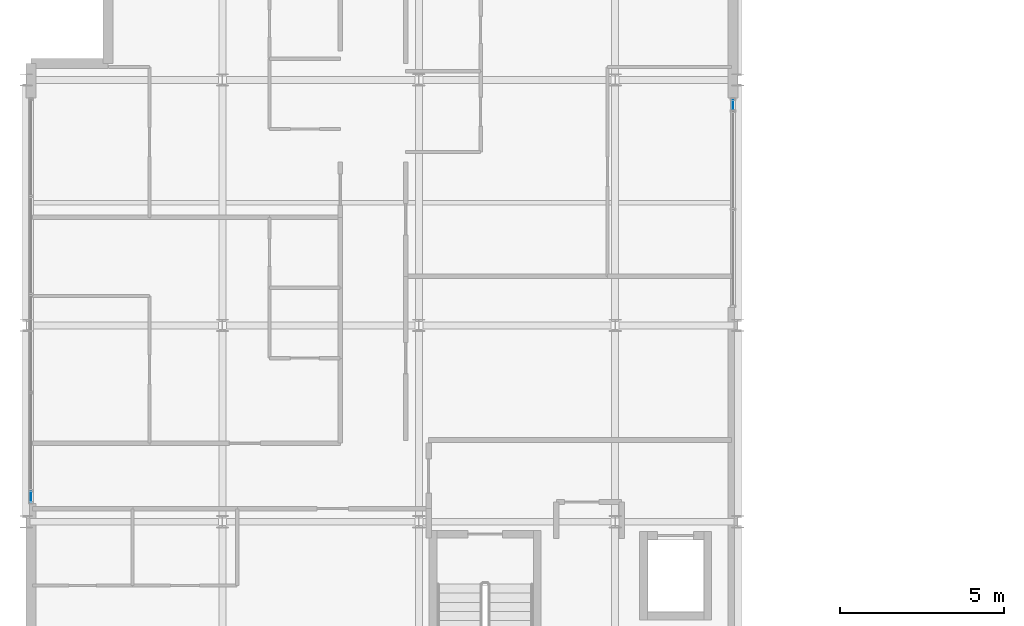
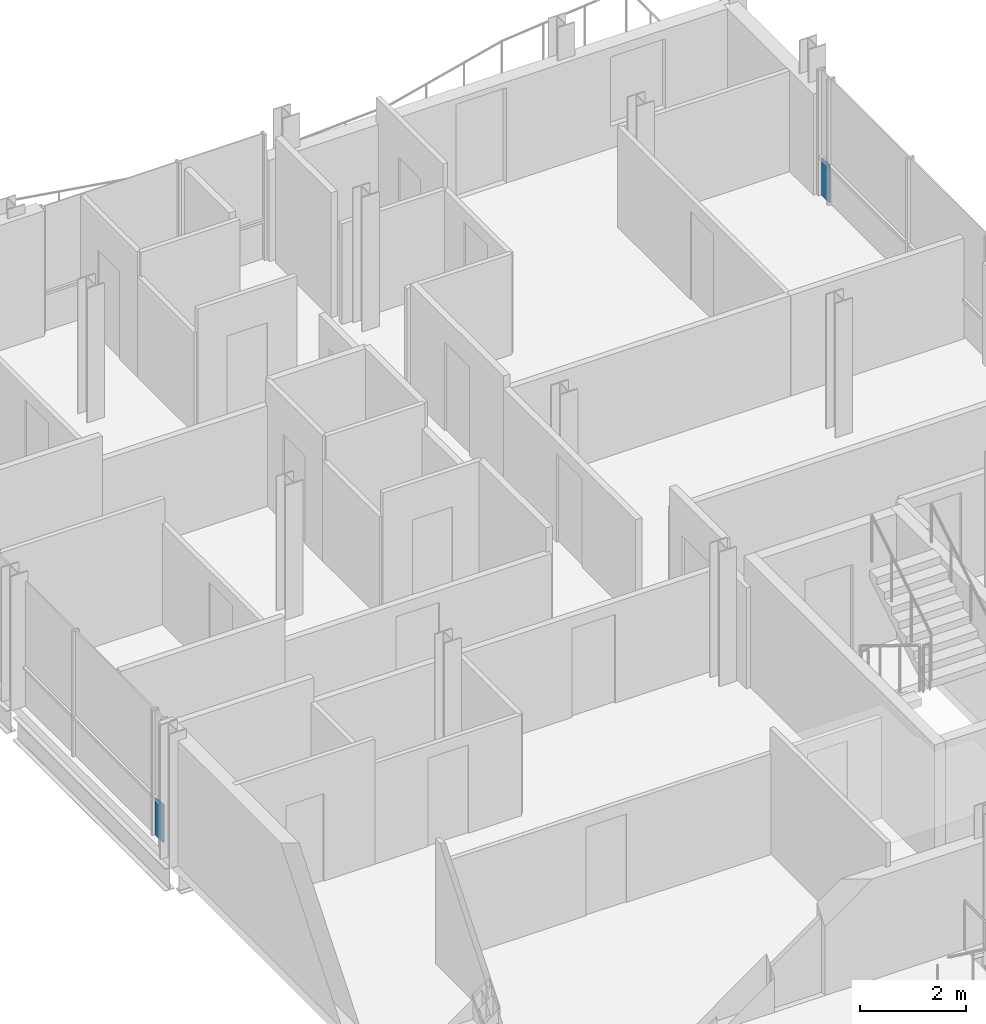
# One storey, part 21 of 29: 2 plates, 2 elements without a shape of their own.
"""IFC4 building model written with IfcOpenShell, lengths in metres."""

from ifc_helpers import new_model, si_unit, direction, frame, origin, origin_2d, place, context, subcontext, project, spatial, rectangle, extrude, material, layer, layer_set, type_object, element, aggregate, save


model = new_model("IFC4")

# Units and contexts
model_context = context("Model", 3, precision=1e-05, world=origin(), true_north=direction((0.0, 1.0)))
body_context = subcontext(model_context, "Body", "Model", "MODEL_VIEW")
ifc_project = project(units=[si_unit("LENGTHUNIT", "METRE"), si_unit("AREAUNIT", "SQUARE_METRE"), si_unit("VOLUMEUNIT", "CUBIC_METRE"), si_unit("PLANEANGLEUNIT", "RADIAN"), si_unit("MASSUNIT", "GRAM", prefix="KILO")], contexts=[model_context])

# Site, building, storey
site_placement = place(None, origin())
site = spatial("IfcSite", under=ifc_project, at=site_placement, CompositionType="ELEMENT")
building_placement = place(site_placement, origin())
building = spatial("IfcBuilding", under=site, at=building_placement, Name="Brevholm Reach", CompositionType="ELEMENT")
storey_placement = place(building_placement, frame((0.0, 0.0, 201.800048828125)))
storey = spatial("IfcBuildingStorey", under=building, at=storey_placement, Name="L61", CompositionType="ELEMENT", Elevation=201.800048828125)

# Curtain wall, plate
ifc_material_1 = material(Name="Dark Anodised Aluminium 6063-T6 and Solar-Control Glass", Category="aluminium")
ifc_layer_1 = layer(ifc_material_1, 0.14990234375)
ifc_layer_set_1 = layer_set([ifc_layer_1], Name="Dark Anodised Aluminium 6063-T6 and Solar-Control Glass")
curtain_wall_type_1 = type_object("IfcCurtainWallType", Name="CW-01", PredefinedType="NOTDEFINED", material=ifc_layer_set_1)
curtain_wall_1_placement = place(storey_placement, origin())
curtain_wall_1 = element("IfcCurtainWall", 1, at=curtain_wall_1_placement, inside=storey, type_object=curtain_wall_type_1, Name="L61 Curtain Wall CW-01", PredefinedType="NOTDEFINED")
ifc_material_2 = material(Name="Dark Solar-Control Double-Glazed IGU Glass", Category="glass")
ifc_layer_2 = layer(ifc_material_2, 0.028076171875)
ifc_layer_set_2 = layer_set([ifc_layer_2], Name="Dark Solar-Control Double-Glazed IGU Glass")
plate_type = type_object("IfcPlateType", Name="CWP-GLZ-28", PredefinedType="CURTAIN_PANEL", material=ifc_layer_set_2)
plate_1_placement = place(storey_placement, frame((0.14990234375, 10.766357421875, 0.0), z_axis=(0.0, 0.0, 1.0), x_axis=(0.0, -1.0, 0.0)))
plate_1 = element("IfcPlate", 2, at=plate_1_placement, type_object=plate_type, Name="CP-01 Glazing Panel 5.1", PredefinedType="CURTAIN_PANEL", context=body_context, shape_type="SweptSolid", body=[
    extrude(rectangle(XDim=0.302490234375, YDim=0.028076171875, at=origin_2d()), origin(), (0.0, 0.0, 1.0), 0.867431640625),
])
aggregate(curtain_wall_1, [plate_1])

ifc_material_3 = material(Name="Dark Anodised Aluminium 6063-T6 and Solar-Control Glass", Category="aluminium")
ifc_layer_3 = layer(ifc_material_3, 0.1650390625)
ifc_layer_set_3 = layer_set([ifc_layer_3], Name="Dark Anodised Aluminium 6063-T6 and Solar-Control Glass")
curtain_wall_type_2 = type_object("IfcCurtainWallType", Name="CW-04", PredefinedType="NOTDEFINED", material=ifc_layer_set_3)
curtain_wall_2_placement = place(storey_placement, origin())
curtain_wall_2 = element("IfcCurtainWall", 3, at=curtain_wall_2_placement, inside=storey, type_object=curtain_wall_type_2, Name="L61 Curtain Wall CW-04", PredefinedType="NOTDEFINED")
plate_2_placement = place(storey_placement, frame((21.60009765625, 22.732421875, 0.0), z_axis=(0.0, 0.0, 1.0), x_axis=(0.0, 1.0, 0.0)))
plate_2 = element("IfcPlate", 4, at=plate_2_placement, type_object=plate_type, Name="CP-01 Glazing Panel 3.1", PredefinedType="CURTAIN_PANEL", context=body_context, shape_type="SweptSolid", body=[
    extrude(rectangle(XDim=0.294921875, YDim=0.028076171875, at=origin_2d()), origin(), (0.0, 0.0, 1.0), 0.864990234375),
])
aggregate(curtain_wall_2, [plate_2])

save(model, "model.ifc")
